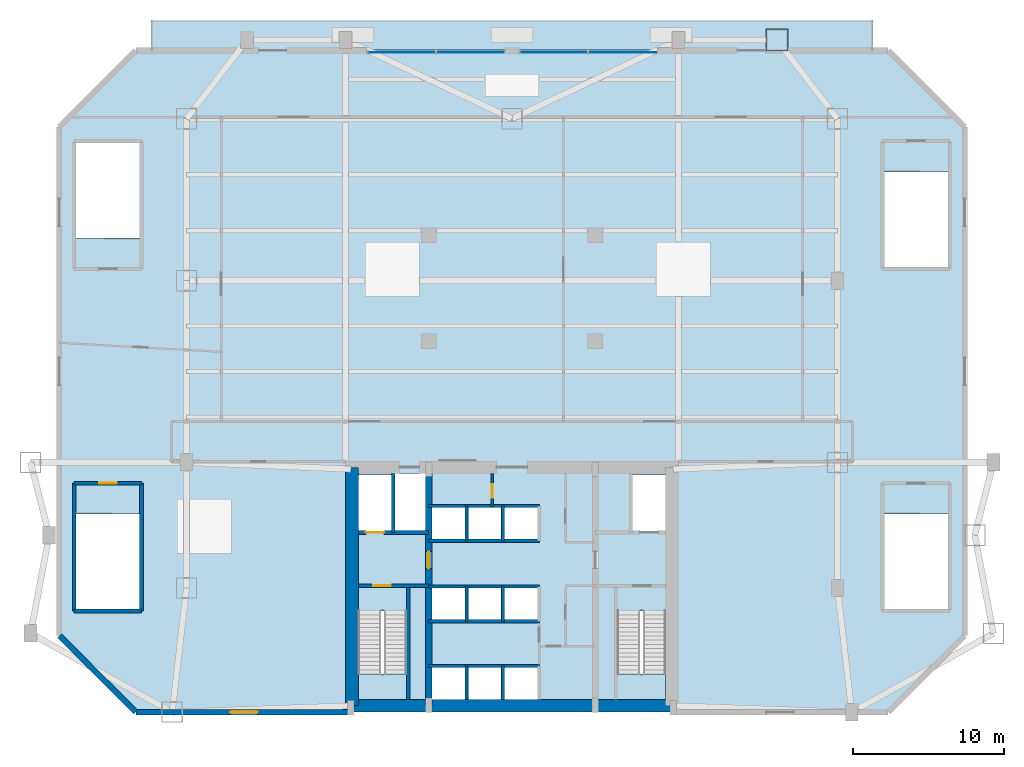
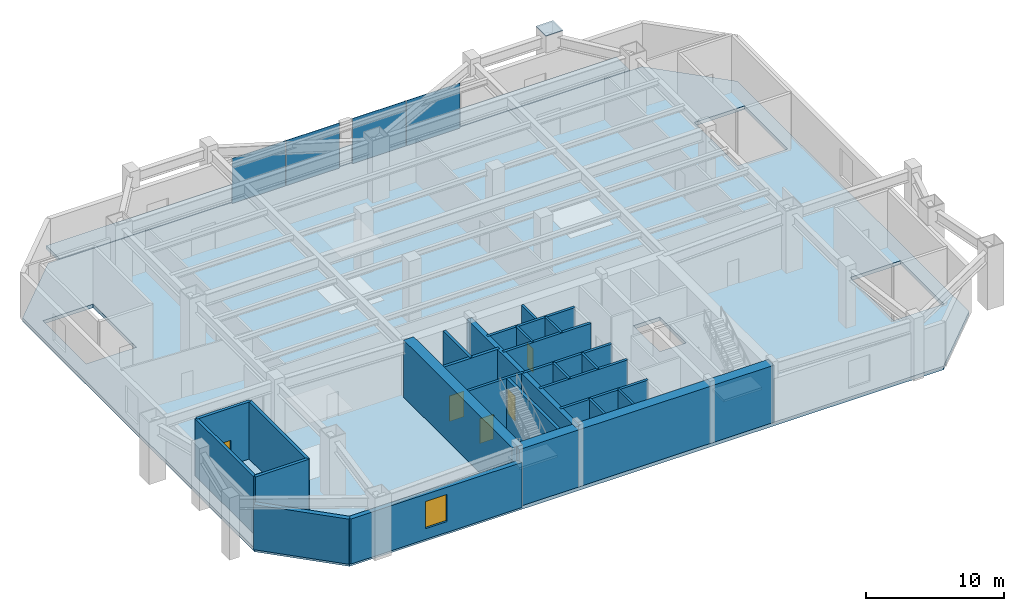
# One storey, part 3 of 8: 25 walls, 5 doors, 5 plates, 4 slabs, 1 window, 6 openings, 4 elements without a shape of their own.
"""IFC4 building model written with IfcOpenShell, lengths in metres."""

import ifcopenshell
import ifcopenshell.guid

model = None  # the IFC model being written
_history = None  # IfcOwnerHistory: only IFC2X3 demands one
_inside = {}  # id of a spatial element -> (the spatial element, [elements in it])
_under = {}  # id of a project, library or spatial element -> (it, [spatial elements below it])
_declared = {}  # id of a project -> (the project, [libraries it declares])
_typed = {}  # id of a type object -> (the type object, [elements of that type])
_made_of = {}  # id of a material, layer set ... -> (it, [elements and type objects made of it])


def new_model(schema):
    """Start an empty IFC model of exactly this schema.

    Asked for "IFC4X3", IfcOpenShell would pick the latest addendum, in which some entities
    have other attributes; the version numbers below select the first issue.
    IFC2X3 requires an IfcOwnerHistory on every rooted entity: one is made here for all.
    """
    global model, _history
    if schema == "IFC4X3":
        model = ifcopenshell.file(schema_version=(4, 3, 0, 0))
    else:
        model = ifcopenshell.file(schema=schema)
    _inside.clear()
    _under.clear()
    _declared.clear()
    _typed.clear()
    _made_of.clear()
    _history = None
    if model.schema == "IFC2X3":
        org = make("IfcOrganization", Name="unknown")
        user = make(
            "IfcPersonAndOrganization",
            ThePerson=make("IfcPerson", FamilyName="unknown"),
            TheOrganization=org,
        )
        app = make(
            "IfcApplication",
            ApplicationDeveloper=org,
            Version="unknown",
            ApplicationFullName="unknown",
            ApplicationIdentifier="unknown",
        )
        _history = make(
            "IfcOwnerHistory",
            OwningUser=user,
            OwningApplication=app,
            ChangeAction="ADDED",
            CreationDate=0,
        )
    return model


def make(cls, **values):
    """One entity of the class cls with the attributes given. An attribute that is None is left unset."""
    return model.create_entity(
        cls, **{name: value for name, value in values.items() if value is not None}
    )


def rooted(cls, **values):
    """An entity with a GlobalId (a new one), such as an element, a storey or a relation."""
    return make(cls, GlobalId=ifcopenshell.guid.new(), OwnerHistory=_history, **values)


def si_unit(unit_type, name, prefix=None):
    """IfcSIUnit, for example si_unit("LENGTHUNIT", "METRE", prefix="MILLI")."""
    return make("IfcSIUnit", UnitType=unit_type, Prefix=prefix, Name=name)


def assignment(units):
    """IfcUnitAssignment: the units of a project."""
    return None if units is None else make("IfcUnitAssignment", Units=units)


def point(xyz):
    """IfcCartesianPoint."""
    return None if xyz is None else make("IfcCartesianPoint", Coordinates=xyz)


def direction(xyz):
    """IfcDirection."""
    return None if xyz is None else make("IfcDirection", DirectionRatios=xyz)


def frame(location, z_axis=None, x_axis=None):
    """IfcAxis2Placement3D, a coordinate frame: its origin and axes. An axis left out is left unset."""
    return make(
        "IfcAxis2Placement3D",
        Location=point(location),
        Axis=direction(z_axis),
        RefDirection=direction(x_axis),
    )


def frame_2d(location, x_axis=None):
    """IfcAxis2Placement2D, a coordinate frame in the plane: its origin and x axis."""
    return make(
        "IfcAxis2Placement2D", Location=point(location), RefDirection=direction(x_axis)
    )


def origin():
    """The frame at (0, 0, 0) with its axes left unset."""
    return frame((0.0, 0.0, 0.0))


def origin_2d():
    """The frame at (0, 0) in the plane with its x axis left unset."""
    return frame_2d((0.0, 0.0))


def place(relative_to, where):
    """IfcLocalPlacement: puts the frame where relative to a parent placement (None: the world)."""
    return make(
        "IfcLocalPlacement", PlacementRelTo=relative_to, RelativePlacement=where
    )


def context(
    kind, dimensions, precision=None, world=None, true_north=None, identifier=None
):
    """IfcGeometricRepresentationContext, for example the 3D "Model" context."""
    return make(
        "IfcGeometricRepresentationContext",
        ContextIdentifier=identifier,
        ContextType=kind,
        CoordinateSpaceDimension=dimensions,
        Precision=precision,
        WorldCoordinateSystem=world,
        TrueNorth=true_north,
    )


def subcontext(parent, identifier, kind, view, scale=None):
    """IfcGeometricRepresentationSubContext, for example "Body" below "Model"."""
    return make(
        "IfcGeometricRepresentationSubContext",
        ContextIdentifier=identifier,
        ContextType=kind,
        ParentContext=parent,
        TargetScale=scale,
        TargetView=view,
    )


def project(units=None, contexts=None):
    """IfcProject with its units and contexts."""
    return rooted(
        "IfcProject",
        Name="project",
        RepresentationContexts=contexts,
        UnitsInContext=assignment(units),
    )


def spatial(cls, under=None, at=None, **own):
    """A site, building, storey or space (cls), placed at a placement, below another one or the project."""
    s = rooted(cls, ObjectPlacement=at, **own)
    if under is not None:
        _under.setdefault(under.id(), (under, []))[1].append(s)
    return s


def polyline(points):
    """IfcPolyline through the points."""
    return make("IfcPolyline", Points=[point(p) for p in points])


def profile(cls, at=None, kind="AREA", **sizes):
    """A parametric profile (cls). Its sizes go by their IFC names, for example OverallWidth=200.0."""
    return make(cls, ProfileType=kind, Position=at, **sizes)


def rectangle(**sizes):
    """IfcRectangleProfileDef."""
    return profile("IfcRectangleProfileDef", **sizes)


def outline(outer, holes=None, kind="AREA"):
    """IfcArbitraryClosedProfileDef: a profile drawn as a closed curve; with holes, ...WithVoids."""
    if holes is None:
        return make("IfcArbitraryClosedProfileDef", ProfileType=kind, OuterCurve=outer)
    return make(
        "IfcArbitraryProfileDefWithVoids",
        ProfileType=kind,
        OuterCurve=outer,
        InnerCurves=holes,
    )


def extrude(swept, where, along, depth):
    """IfcExtrudedAreaSolid: the profile swept, set in the frame where, extruded along a direction by depth."""
    return make(
        "IfcExtrudedAreaSolid",
        SweptArea=swept,
        Position=where,
        ExtrudedDirection=direction(along),
        Depth=depth,
    )


def shape(context_of_items, identifier, shape_type, items):
    """IfcShapeRepresentation: the items that make up one representation, for example the "Body"."""
    return make(
        "IfcShapeRepresentation",
        ContextOfItems=context_of_items,
        RepresentationIdentifier=identifier,
        RepresentationType=shape_type,
        Items=items,
    )


def source(mapping_origin, context_of_items, identifier, shape_type, items):
    """IfcRepresentationMap: a shape defined once, which mapped items show again and again."""
    return make(
        "IfcRepresentationMap",
        MappingOrigin=mapping_origin,
        MappedRepresentation=shape(context_of_items, identifier, shape_type, items),
    )


def transform(
    local_origin,
    x_axis=None,
    y_axis=None,
    z_axis=None,
    scale=None,
    scale2=None,
    scale3=None,
    uniform=True,
):
    """IfcCartesianTransformationOperator3D, or its non-uniform kind. x_axis, y_axis, z_axis: its Axis1, 2, 3."""
    if uniform:
        return make(
            "IfcCartesianTransformationOperator3D",
            Axis1=direction(x_axis),
            Axis2=direction(y_axis),
            LocalOrigin=point(local_origin),
            Scale=scale,
            Axis3=direction(z_axis),
        )
    return make(
        "IfcCartesianTransformationOperator3DnonUniform",
        Axis1=direction(x_axis),
        Axis2=direction(y_axis),
        LocalOrigin=point(local_origin),
        Scale=scale,
        Axis3=direction(z_axis),
        Scale2=scale2,
        Scale3=scale3,
    )


def mapped(mapping_source, mapping_target):
    """IfcMappedItem: shows the shape of a source again, moved by a transform."""
    return make(
        "IfcMappedItem", MappingSource=mapping_source, MappingTarget=mapping_target
    )


def material(Name=None, Category=None):
    """IfcMaterial."""
    return make("IfcMaterial", Name=Name, Category=Category)


def layer(
    of_material, thickness, ventilated=None, Name=None, Category=None, Priority=None
):
    """IfcMaterialLayer: one layer of a wall or slab, of a material (None: an air gap)."""
    return make(
        "IfcMaterialLayer",
        Material=of_material,
        LayerThickness=thickness,
        IsVentilated=ventilated,
        Name=Name,
        Category=Category,
        Priority=Priority,
    )


def layer_set(layers, Name=None):
    """IfcMaterialLayerSet."""
    return make("IfcMaterialLayerSet", MaterialLayers=layers, LayerSetName=Name)


def made_of(thing, what):
    """Note that an element or type object is made of a material, layer set ...; save() writes the relation."""
    if what is not None:
        _made_of.setdefault(what.id(), (what, []))[1].append(thing)
    return thing


def type_object(cls, material=None, **own):
    """A type object (cls), such as IfcWallType, which elements share."""
    return made_of(rooted(cls, **own), material)


def type_shapes(of_type, sources):
    """Give a type object the sources (RepresentationMaps) that its elements show as mapped items."""
    of_type.RepresentationMaps = sources


def element(
    cls,
    number,
    at=None,
    inside=None,
    cuts=None,
    type_object=None,
    material=None,
    context=None,
    identifier="Body",
    shape_type=None,
    held_by="IfcProductDefinitionShape",
    body=None,
    shapes=None,
    **own,
):
    """One element of the class cls, such as IfcWall. Its Tag is "e" and its number.

    at: its placement. inside: the storey or other place that contains it. cuts: it is an
    opening in that element (IfcRelVoidsElement). A single representation is given by context,
    identifier, shape_type and body (its items); several are given by shapes. held_by: the class
    of the entity that holds the representations. save() writes the other relations.
    """
    e = rooted(cls, Tag="e%d" % number, ObjectPlacement=at, **own)
    if body is not None:
        shapes = [shape(context, identifier, shape_type, body)]
    if shapes is not None:
        e.Representation = make(held_by, Representations=shapes)
    if inside is not None:
        _inside.setdefault(inside.id(), (inside, []))[1].append(e)
    if cuts is not None:
        rooted(
            "IfcRelVoidsElement", RelatingBuildingElement=cuts, RelatedOpeningElement=e
        )
    if type_object is not None:
        _typed.setdefault(type_object.id(), (type_object, []))[1].append(e)
    return made_of(e, material)


def fill(opening, filler):
    """IfcRelFillsElement: the door or window that sits in an opening."""
    return rooted(
        "IfcRelFillsElement",
        RelatingOpeningElement=opening,
        RelatedBuildingElement=filler,
    )


def aggregate(whole, parts):
    """IfcRelAggregates: a whole, such as a stair, and the parts it consists of."""
    return rooted("IfcRelAggregates", RelatingObject=whole, RelatedObjects=parts)


def save(model, path):
    """Write the relations noted so far, then the file.

    IfcRelAggregates (storeys below a building ...), IfcRelContainedInSpatialStructure (elements
    in a storey), IfcRelDefinesByType, IfcRelAssociatesMaterial and IfcRelDeclares: one each for
    every whole, place, type object, material and project.
    """
    for whole, parts in _under.values():
        aggregate(whole, parts)
    for where, things in _inside.values():
        rooted(
            "IfcRelContainedInSpatialStructure",
            RelatedElements=things,
            RelatingStructure=where,
        )
    for kind, things in _typed.values():
        rooted("IfcRelDefinesByType", RelatedObjects=things, RelatingType=kind)
    for what, things in _made_of.values():
        rooted("IfcRelAssociatesMaterial", RelatedObjects=things, RelatingMaterial=what)
    for by, libraries in _declared.values():
        rooted("IfcRelDeclares", RelatingContext=by, RelatedDefinitions=libraries)
    model.write(path)


model = new_model("IFC4")

# Units and contexts
model_context = context("Model", 3, precision=1e-05, world=origin(), true_north=direction((0.0, 1.0)))
body_context = subcontext(model_context, "Body", "Model", "MODEL_VIEW")
ifc_project = project(units=[si_unit("LENGTHUNIT", "METRE"), si_unit("AREAUNIT", "SQUARE_METRE"), si_unit("VOLUMEUNIT", "CUBIC_METRE"), si_unit("PLANEANGLEUNIT", "RADIAN"), si_unit("MASSUNIT", "GRAM", prefix="KILO")], contexts=[model_context])

# Site, building, storey
site_placement = place(None, origin())
site = spatial("IfcSite", under=ifc_project, at=site_placement, CompositionType="ELEMENT")
building_placement = place(site_placement, origin())
building = spatial("IfcBuilding", under=site, at=building_placement, Name="Varnakhor Terracotta Tower", CompositionType="ELEMENT")
storey_placement = place(building_placement, frame((0.0, 0.0, 16.5)))
storey = spatial("IfcBuildingStorey", under=building, at=storey_placement, Name="L03", CompositionType="ELEMENT", Elevation=16.5)

# Slab
ifc_material_1 = material(Name="Concrete C40/50", Category="concrete")
ifc_layer_1 = layer(ifc_material_1, 0.31494140625, Name="Concrete C40/50")
ifc_layer_set_1 = layer_set([ifc_layer_1], Name="Concrete C40/50")
slab_type_1 = type_object("IfcSlabType", Name="SLB-BALL-315", PredefinedType="FLOOR", material=ifc_layer_set_1)
slab_1_placement = place(storey_placement, frame((0.0, 0.0, -0.31494140625)))
element("IfcSlab", 1, at=slab_1_placement, inside=storey, type_object=slab_type_1, Name="L03 Structural Floor Slab", PredefinedType="FLOOR", context=body_context, shape_type="SweptSolid", body=[
    extrude(outline(polyline([(-29.89990234375, 5.050048828125), (-29.89990234375, 38.64990234375), (-24.85009765625, 43.699951171875), (24.85009765625, 43.699951171875), (29.89990234375, 38.64990234375), (29.89990234375, 5.050048828125), (24.85009765625, 0.0), (-24.85009765625, 0.0), (-29.89990234375, 5.050048828125)]), holes=[polyline([(-5.300048828125, 0.85009765625), (-3.10009765625, 0.85009765625), (-3.10009765625, 2.949951171875), (-5.300048828125, 2.949951171875), (-5.300048828125, 0.85009765625)]), polyline([(-10.14990234375, 0.85009765625), (-6.949951171875, 0.85009765625), (-6.949951171875, 6.695068359375), (-10.14990234375, 6.695068359375), (-10.14990234375, 0.85009765625)]), polyline([(-5.300048828125, 6.10009765625), (-3.10009765625, 6.10009765625), (-3.10009765625, 8.199951171875), (-5.300048828125, 8.199951171875), (-5.300048828125, 6.10009765625)]), polyline([(-28.800048828125, 6.800048828125), (-24.60009765625, 6.800048828125), (-24.60009765625, 13.0849609375), (-28.800048828125, 13.0849609375), (-28.800048828125, 6.800048828125)]), polyline([(-5.300048828125, 11.419921875), (-3.10009765625, 11.419921875), (-3.10009765625, 13.52001953125), (-5.300048828125, 13.52001953125), (-5.300048828125, 11.419921875)]), polyline([(-2.8798828125, 11.419921875), (-0.719970703125, 11.419921875), (-0.719970703125, 13.52001953125), (-2.8798828125, 13.52001953125), (-2.8798828125, 11.419921875)]), polyline([(-10.14990234375, 11.8798828125), (-7.949951171875, 11.8798828125), (-7.949951171875, 15.64990234375), (-10.14990234375, 15.64990234375), (-10.14990234375, 11.8798828125)]), polyline([(-7.72998046875, 15.75), (-7.72998046875, 11.8798828125), (-5.699951171875, 11.8798828125), (-5.699951171875, 15.75), (-7.72998046875, 15.75)]), polyline([(-28.800048828125, 37.60009765625), (-28.800048828125, 31.31494140625), (-24.60009765625, 31.31494140625), (-24.60009765625, 37.60009765625), (-28.800048828125, 37.60009765625)]), polyline([(-2.8798828125, 0.85009765625), (-0.719970703125, 0.85009765625), (-0.719970703125, 2.949951171875), (-2.8798828125, 2.949951171875), (-2.8798828125, 0.85009765625)]), polyline([(-0.5, 0.85009765625), (1.699951171875, 0.85009765625), (1.699951171875, 2.949951171875), (-0.5, 2.949951171875), (-0.5, 0.85009765625)]), polyline([(6.949951171875, 0.85009765625), (10.14990234375, 0.85009765625), (10.14990234375, 6.695068359375), (6.949951171875, 6.695068359375), (6.949951171875, 0.85009765625)]), polyline([(-2.8798828125, 6.10009765625), (-0.719970703125, 6.10009765625), (-0.719970703125, 8.199951171875), (-2.8798828125, 8.199951171875), (-2.8798828125, 6.10009765625)]), polyline([(-0.5, 6.10009765625), (1.699951171875, 6.10009765625), (1.699951171875, 8.199951171875), (-0.5, 8.199951171875), (-0.5, 6.10009765625)]), polyline([(24.60009765625, 6.800048828125), (28.800048828125, 6.800048828125), (28.800048828125, 13.0849609375), (24.60009765625, 13.0849609375), (24.60009765625, 6.800048828125)]), polyline([(-0.5, 11.419921875), (1.699951171875, 11.419921875), (1.699951171875, 13.52001953125), (-0.5, 13.52001953125), (-0.5, 11.419921875)]), polyline([(7.949951171875, 15.64990234375), (7.949951171875, 11.8798828125), (10.14990234375, 11.8798828125), (10.14990234375, 15.64990234375), (7.949951171875, 15.64990234375)]), polyline([(24.60009765625, 35.68505859375), (24.60009765625, 29.39990234375), (28.800048828125, 29.39990234375), (28.800048828125, 35.68505859375), (24.60009765625, 35.68505859375)])]), origin(), (0.0, 0.0, 1.0), 0.31494140625),
])

# Stair, slab
stair_type = type_object("IfcStairType", Name="STR-CORE-OFFICE-1500", PredefinedType="HALF_TURN_STAIR", material=ifc_material_1)
stair_1_placement = place(storey_placement, origin())
stair_1 = element("IfcStair", 2, at=stair_1_placement, inside=storey, type_object=stair_type, Name="L03 Core Exit Stair ST-1", PredefinedType="HALF_TURN_STAIR")
ifc_layer_2 = layer(ifc_material_1, 0.179931640625, Name="Concrete C40/50")
ifc_layer_set_2 = layer_set([ifc_layer_2], Name="Concrete C40/50")
slab_type_2 = type_object("IfcSlabType", Name="SLB-LANDING-180", PredefinedType="LANDING", material=ifc_layer_set_2)
slab_2_placement = place(storey_placement, frame((0.0, 0.0, 2.550048828125)))
slab_2 = element("IfcSlab", 3, at=slab_2_placement, type_object=slab_type_2, Name="ST-1 landing 1", PredefinedType="LANDING", context=body_context, shape_type="SweptSolid", body=[
    extrude(outline(polyline([(-10.14990234375, 2.510009765625), (-10.14990234375, 0.85009765625), (-6.949951171875, 0.85009765625), (-6.949951171875, 2.510009765625), (-10.14990234375, 2.510009765625)])), origin(), (0.0, 0.0, 1.0), 0.199951171875),
])
aggregate(stair_1, [slab_2])

stair_2_placement = place(storey_placement, origin())
stair_2 = element("IfcStair", 4, at=stair_2_placement, inside=storey, type_object=stair_type, Name="L03 Core Exit Stair ST-2", PredefinedType="HALF_TURN_STAIR")
slab_3_placement = place(storey_placement, frame((0.0, 0.0, 2.550048828125)))
slab_3 = element("IfcSlab", 5, at=slab_3_placement, type_object=slab_type_2, Name="ST-2 landing 1", PredefinedType="LANDING", context=body_context, shape_type="SweptSolid", body=[
    extrude(outline(polyline([(6.949951171875, 2.510009765625), (6.949951171875, 0.85009765625), (10.14990234375, 0.85009765625), (10.14990234375, 2.510009765625), (6.949951171875, 2.510009765625)])), origin(), (0.0, 0.0, 1.0), 0.199951171875),
])
aggregate(stair_2, [slab_3])

# Slab
ifc_layer_3 = layer(ifc_material_1, 0.340087890625, Name="Concrete C40/50")
ifc_layer_set_3 = layer_set([ifc_layer_3], Name="Concrete C40/50")
slab_type_3 = type_object("IfcSlabType", Name="SLB-TERR-EXT-340", PredefinedType="FLOOR", material=ifc_layer_set_3)
slab_4_placement = place(storey_placement, frame((0.0, 0.0, -0.31494140625)))
element("IfcSlab", 6, at=slab_4_placement, inside=storey, type_object=slab_type_3, Name="L03 Cascading Garden Terrace Slab", PredefinedType="FLOOR", context=body_context, shape_type="SweptSolid", body=[
    extrude(outline(polyline([(-23.85009765625, 45.699951171875), (23.85009765625, 45.699951171875), (23.85009765625, 43.739990234375), (-23.85009765625, 43.739990234375), (-23.85009765625, 45.699951171875)])), origin(), (0.0, 0.0, 1.0), 0.31494140625),
])

# Plate
ifc_material_2 = material(Name="Steel S355", Category="steel")
ifc_layer_4 = layer(ifc_material_2, 0.0400390625, Name="Steel S355")
ifc_layer_set_4 = layer_set([ifc_layer_4], Name="Steel S355")
plate_type_1 = type_object("IfcPlateType", Name="PLT-CAP-40", PredefinedType="USERDEFINED", material=ifc_layer_set_4)
shared_shape_1 = source(origin(), body_context, "Body", "SweptSolid", [
    extrude(rectangle(XDim=1.43994140625, YDim=1.43994140625, at=origin_2d()), origin(), (0.0, 0.0, 1.0), 0.0439453125),
])
type_shapes(plate_type_1, [shared_shape_1])
plate_1_placement = place(storey_placement, frame((17.5, 44.39990234375, 5.5), z_axis=(0.0, 0.0, 1.0), x_axis=(1.0, 0.0, 0.0)))
element("IfcPlate", 7, at=plate_1_placement, inside=storey, type_object=plate_type_1, Name="L03 Podium Column PC21 Top Cap Plate", ObjectType="CAP PLATE", PredefinedType="USERDEFINED", context=body_context, shape_type="MappedRepresentation", body=[
    mapped(shared_shape_1, transform((0.0, 0.0, 0.0), scale=1.0)),
])

# Curtain wall, plates
ifc_material_3 = material(Name="Anodised Aluminium Curtain Wall System", Category="aluminium")
curtain_wall_type = type_object("IfcCurtainWallType", Name="CW-SYS-PODIUM", PredefinedType="NOTDEFINED", material=ifc_material_3)
curtain_wall_1_placement = place(storey_placement, origin())
curtain_wall_1 = element("IfcCurtainWall", 8, at=curtain_wall_1_placement, inside=storey, type_object=curtain_wall_type, Name="L03 North West Foyer Curtain Wall", PredefinedType="NOTDEFINED")
ifc_material_4 = material(Name="Solar-Control Low-E Insulated Glass Panel", Category="glass")
ifc_layer_5 = layer(ifc_material_4, 0.0439453125, Name="Solar-Control Low-E Insulated Glass Panel")
ifc_layer_set_5 = layer_set([ifc_layer_5], Name="Solar-Control Low-E Insulated Glass Panel")
plate_type_2 = type_object("IfcPlateType", Name="CWP-01", PredefinedType="CURTAIN_PANEL", material=ifc_layer_set_5)
shared_shape_2 = source(origin(), body_context, "Body", "SweptSolid", [
    extrude(rectangle(XDim=4.47509765625, YDim=0.035888671875, at=origin_2d()), origin(), (0.0, 0.0, 1.0), 3.989990234375),
])
plate_2_placement = place(storey_placement, frame((-7.282470703125, 43.580078125, 0.0), z_axis=(0.0, 0.0, 1.0), x_axis=(1.0, 0.0, 0.0)))
plate_2 = element("IfcPlate", 9, at=plate_2_placement, type_object=plate_type_2, Name="L03 North West Foyer Curtain Wall Glazed Panel 1", PredefinedType="CURTAIN_PANEL", context=body_context, shape_type="MappedRepresentation", body=[
    mapped(shared_shape_2, transform((0.0, 0.0, 0.0), scale=1.0)),
])
plate_3_placement = place(storey_placement, frame((-2.767578125, 43.580078125, 0.0), z_axis=(0.0, 0.0, 1.0), x_axis=(1.0, 0.0, 0.0)))
plate_3 = element("IfcPlate", 10, at=plate_3_placement, type_object=plate_type_2, Name="L03 North West Foyer Curtain Wall Glazed Panel 2", PredefinedType="CURTAIN_PANEL", context=body_context, shape_type="MappedRepresentation", body=[
    mapped(shared_shape_2, transform((0.0, 0.0, 0.0), scale=1.0)),
])
aggregate(curtain_wall_1, [plate_2, plate_3])

curtain_wall_2_placement = place(storey_placement, origin())
curtain_wall_2 = element("IfcCurtainWall", 11, at=curtain_wall_2_placement, inside=storey, type_object=curtain_wall_type, Name="L03 North East Foyer Curtain Wall", PredefinedType="NOTDEFINED")
plate_4_placement = place(storey_placement, frame((2.767578125, 43.580078125, 0.0), z_axis=(0.0, 0.0, 1.0), x_axis=(1.0, 0.0, 0.0)))
plate_4 = element("IfcPlate", 12, at=plate_4_placement, type_object=plate_type_2, Name="L03 North East Foyer Curtain Wall Glazed Panel 1", PredefinedType="CURTAIN_PANEL", context=body_context, shape_type="MappedRepresentation", body=[
    mapped(shared_shape_2, transform((0.0, 0.0, 0.0), scale=1.0)),
])
plate_5_placement = place(storey_placement, frame((7.282470703125, 43.580078125, 0.0), z_axis=(0.0, 0.0, 1.0), x_axis=(1.0, 0.0, 0.0)))
plate_5 = element("IfcPlate", 13, at=plate_5_placement, type_object=plate_type_2, Name="L03 North East Foyer Curtain Wall Glazed Panel 2", PredefinedType="CURTAIN_PANEL", context=body_context, shape_type="MappedRepresentation", body=[
    mapped(shared_shape_2, transform((0.0, 0.0, 0.0), scale=1.0)),
])
aggregate(curtain_wall_2, [plate_4, plate_5])

# Walls
ifc_material_5 = material(Name="Concrete C60/75", Category="concrete")
ifc_layer_6 = layer(ifc_material_5, 0.85009765625, Name="Concrete C60/75")
ifc_layer_set_6 = layer_set([ifc_layer_6], Name="Concrete C60/75")
wall_type_1 = type_object("IfcWallType", Name="WAL-CORE-850", PredefinedType="SHEAR", material=ifc_layer_set_6)
wall_1_placement = place(storey_placement, frame((-10.64990234375, 0.425048828125, 0.0), z_axis=(0.0, 0.0, 1.0), x_axis=(1.0, 0.0, 0.0)))
element("IfcWall", 14, at=wall_1_placement, inside=storey, type_object=wall_type_1, Name="L03 South Core Shear Wall", PredefinedType="SHEAR", context=body_context, shape_type="SweptSolid", body=[
    extrude(rectangle(XDim=21.2998046875, YDim=0.85009765625, at=frame_2d((10.64990234375, 0.0))), origin(), (0.0, 0.0, 1.0), 5.050048828125),
])
wall_2_placement = place(storey_placement, frame((-10.574951171875, 0.425048828125, 0.0), z_axis=(0.0, 0.0, 1.0), x_axis=(0.0, 1.0, 0.0)))
element("IfcWall", 15, at=wall_2_placement, inside=storey, type_object=wall_type_1, Name="L03 West Core Shear Wall", PredefinedType="SHEAR", context=body_context, shape_type="SweptSolid", body=[
    extrude(rectangle(XDim=15.75, YDim=0.85009765625, at=frame_2d((7.875, 0.0))), origin(), (0.0, 0.0, 1.0), 5.050048828125),
])

# Wall, opening, door
ifc_material_6 = material(Name="Concrete C50/60", Category="concrete")
ifc_layer_7 = layer(ifc_material_6, 0.39990234375, Name="Concrete C50/60")
ifc_layer_set_7 = layer_set([ifc_layer_7], Name="Concrete C50/60")
wall_type_2 = type_object("IfcWallType", Name="WAL-CORE-WEB-400", PredefinedType="SHEAR", material=ifc_layer_set_7)
wall_3_placement = place(storey_placement, frame((-5.5, 0.425048828125, 0.0), z_axis=(0.0, 0.0, 1.0), x_axis=(0.0, 1.0, 0.0)))
wall_3 = element("IfcWall", 16, at=wall_3_placement, inside=storey, type_object=wall_type_2, Name="L03 West Core Web Shear Wall", PredefinedType="SHEAR", context=body_context, shape_type="SweptSolid", body=[
    extrude(rectangle(XDim=15.75, YDim=0.39990234375, at=frame_2d((7.875, 0.0))), origin(), (0.0, 0.0, 1.0), 5.050048828125),
])
opening_1_placement = place(wall_3_placement, frame((9.074951171875, 0.0, 0.0)))
opening_1 = element("IfcOpeningElement", 17, at=opening_1_placement, cuts=wall_3, Name="Opening DR-25", PredefinedType="OPENING", context=body_context, shape_type="SweptSolid", body=[
    extrude(rectangle(XDim=1.10009765625, YDim=2.199951171875, at=frame_2d((0.550048828125, 1.10009765625))), frame((0.0, 0.2099609375, 0.0), z_axis=(0.0, -1.0, 0.0), x_axis=(1.0, 0.0, 0.0)), (0.0, 0.0, 1.0), 0.419921875),
])
ifc_material_7 = material(Name="Firefighting Lobby Self-Closing Fire Door", Category="steel")
door_type_1 = type_object("IfcDoorType", Name="DR-FFL-1100X2200", OperationType="NOTDEFINED", PredefinedType="DOOR", material=ifc_material_7)
shared_shape_3 = source(origin(), body_context, "Body", "SweptSolid", [
    extrude(rectangle(XDim=1.10009765625, YDim=2.199951171875, at=frame_2d((0.550048828125, 1.10009765625))), frame((0.0, 0.02490234375, 0.0), z_axis=(0.0, -1.0, 0.0), x_axis=(1.0, 0.0, 0.0)), (0.0, 0.0, 1.0), 0.050048828125),
])
type_shapes(door_type_1, [shared_shape_3])
door_1_placement = place(opening_1_placement, origin())
door_1 = element("IfcDoor", 18, at=door_1_placement, inside=storey, type_object=door_type_1, Name="L03 West Firefighting Lobby Door", OperationType="SINGLE_SWING_LEFT", OverallHeight=2.199951171875, OverallWidth=1.10009765625, PredefinedType="DOOR", context=body_context, shape_type="MappedRepresentation", body=[
    mapped(shared_shape_3, transform((0.0, 0.0, 0.0), scale=1.0)),
])
fill(opening_1, door_1)

# Wall, opening, window
ifc_material_8 = material(Name="Honed Riyadh Limestone Assembly", Category="masonry")
ifc_layer_8 = layer(ifc_material_8, 0.3798828125, Name="Honed Riyadh Limestone Assembly")
ifc_layer_set_8 = layer_set([ifc_layer_8], Name="Honed Riyadh Limestone Assembly")
wall_type_3 = type_object("IfcWallType", Name="WAL-EXT-LIMESTONE-380", PredefinedType="SOLIDWALL", material=ifc_layer_set_8)
wall_4_placement = place(storey_placement, frame((-10.550048828125, 0.0, 0.0), z_axis=(0.0, 0.0, 1.0), x_axis=(-1.0, 0.0, 0.0)))
wall_4 = element("IfcWall", 19, at=wall_4_placement, inside=storey, type_object=wall_type_3, Name="L03 Limestone Podium Wall SW", PredefinedType="SOLIDWALL", context=body_context, shape_type="SweptSolid", body=[
    extrude(rectangle(XDim=14.300048828125, YDim=0.3798828125, at=frame_2d((7.14990234375, 0.0))), origin(), (0.0, 0.0, 1.0), 3.989990234375),
])
opening_2_placement = place(wall_4_placement, frame((6.25, 0.0, 0.949951171875)))
opening_2 = element("IfcOpeningElement", 20, at=opening_2_placement, cuts=wall_4, Name="Opening WN-19", PredefinedType="OPENING", context=body_context, shape_type="SweptSolid", body=[
    extrude(rectangle(XDim=1.800048828125, YDim=2.39990234375, at=frame_2d((0.89990234375, 1.199951171875))), frame((0.0, 0.199951171875, 0.0), z_axis=(0.0, -1.0, 0.0), x_axis=(1.0, 0.0, 0.0)), (0.0, 0.0, 1.0), 0.39990234375),
])
ifc_material_9 = material(Name="Solar-Control Low-E Insulated Glass Unit", Category="glass")
window_type = type_object("IfcWindowType", Name="WIN-POD-1800X2400", PartitioningType="SINGLE_PANEL", PredefinedType="WINDOW", material=ifc_material_9)
shared_shape_4 = source(origin(), body_context, "Body", "SweptSolid", [
    extrude(rectangle(XDim=1.800048828125, YDim=2.39990234375, at=frame_2d((0.89990234375, 1.199951171875))), frame((0.0, 0.030029296875, 0.0), z_axis=(0.0, -1.0, 0.0), x_axis=(1.0, 0.0, 0.0)), (0.0, 0.0, 1.0), 0.06005859375),
])
type_shapes(window_type, [shared_shape_4])
window_placement = place(opening_2_placement, origin())
window = element("IfcWindow", 21, at=window_placement, inside=storey, type_object=window_type, Name="L03 Podium Window SW", OverallHeight=2.39990234375, OverallWidth=1.800048828125, PartitioningType="SINGLE_PANEL", PredefinedType="WINDOW", context=body_context, shape_type="MappedRepresentation", body=[
    mapped(shared_shape_4, transform((0.0, 0.0, 0.0), scale=1.0)),
])
fill(opening_2, window)

# Wall
wall_5_placement = place(storey_placement, frame((-24.85009765625, 0.0, 0.0), z_axis=(0.0, 0.0, 1.0), x_axis=(-0.707089688307, 0.707123873653, 0.0)))
element("IfcWall", 22, at=wall_5_placement, inside=storey, type_object=wall_type_3, Name="L03 Podium Chamfer Limestone Wall 8", PredefinedType="SOLIDWALL", context=body_context, shape_type="SweptSolid", body=[
    extrude(rectangle(XDim=7.1416015625, YDim=0.3798828125, at=frame_2d((3.57080078125, 0.0))), origin(), (0.0, 0.0, 1.0), 3.989990234375),
])

# Wall, opening, door
ifc_layer_9 = layer(ifc_material_1, 0.219970703125, Name="Concrete C40/50")
ifc_layer_set_9 = layer_set([ifc_layer_9], Name="Concrete C40/50")
wall_type_4 = type_object("IfcWallType", Name="WAL-FFLOBBY-220", PredefinedType="SOLIDWALL", material=ifc_layer_set_9)
wall_6_placement = place(storey_placement, frame((-5.5, 8.35009765625, 0.0), z_axis=(0.0, 0.0, 1.0), x_axis=(-1.0, 0.0, 0.0)))
wall_6 = element("IfcWall", 23, at=wall_6_placement, inside=storey, type_object=wall_type_4, Name="L03 West Firefighting Lobby Stair Wall", PredefinedType="SOLIDWALL", context=body_context, shape_type="SweptSolid", body=[
    extrude(rectangle(XDim=4.64990234375, YDim=0.219970703125, at=frame_2d((2.324951171875, 0.0))), origin(), (0.0, 0.0, 1.0), 5.050048828125),
])
opening_3_placement = place(wall_6_placement, frame((2.5, 0.0, 0.0)))
opening_3 = element("IfcOpeningElement", 24, at=opening_3_placement, cuts=wall_6, Name="Opening DR-34", PredefinedType="OPENING", context=body_context, shape_type="SweptSolid", body=[
    extrude(rectangle(XDim=1.14990234375, YDim=2.199951171875, at=frame_2d((0.574951171875, 1.10009765625))), frame((0.0, 0.1201171875, 0.0), z_axis=(0.0, -1.0, 0.0), x_axis=(1.0, 0.0, 0.0)), (0.0, 0.0, 1.0), 0.239990234375),
])
ifc_material_10 = material(Name="Self-Closing Smoke-Sealed Steel Fire Door", Category="steel")
door_type_2 = type_object("IfcDoorType", Name="DR-STAIR-1150X2200", OperationType="NOTDEFINED", PredefinedType="DOOR", material=ifc_material_10)
shared_shape_5 = source(origin(), body_context, "Body", "SweptSolid", [
    extrude(rectangle(XDim=1.14990234375, YDim=2.199951171875, at=frame_2d((0.574951171875, 1.10009765625))), frame((0.0, 0.02490234375, 0.0), z_axis=(0.0, -1.0, 0.0), x_axis=(1.0, 0.0, 0.0)), (0.0, 0.0, 1.0), 0.050048828125),
])
type_shapes(door_type_2, [shared_shape_5])
door_2_placement = place(opening_3_placement, origin())
door_2 = element("IfcDoor", 25, at=door_2_placement, inside=storey, type_object=door_type_2, Name="L03 Exit Stair ST-1 Fire Door", OperationType="SINGLE_SWING_RIGHT", OverallHeight=2.199951171875, OverallWidth=1.14990234375, PredefinedType="DOOR", context=body_context, shape_type="MappedRepresentation", body=[
    mapped(shared_shape_5, transform((0.0, 0.0, 0.0), scale=1.0)),
])
fill(opening_3, door_2)

# Walls
ifc_layer_10 = layer(ifc_material_1, 0.179931640625, Name="Concrete C40/50")
ifc_layer_set_10 = layer_set([ifc_layer_10], Name="Concrete C40/50")
wall_type_5 = type_object("IfcWallType", Name="WAL-SHAFT-180", PredefinedType="SOLIDWALL", material=ifc_layer_set_10)
for number, where, z_axis, x_axis, name in (
    (26, (-3.0, 0.85009765625, 0.0), (0.0, 0.0, 1.0), (0.0, 1.0, 0.0), "L03 PL-1A Divider"),
    (27, (-0.60009765625, 0.85009765625, 0.0), (0.0, 0.0, 1.0), (0.0, 1.0, 0.0), "L03 PL-1B Divider"),
):
    element("IfcWall", number, at=place(storey_placement, frame(where, z_axis=z_axis, x_axis=x_axis)), inside=storey, type_object=wall_type_5, Name=name, PredefinedType="SOLIDWALL", context=body_context, shape_type="SweptSolid", body=[
        extrude(rectangle(XDim=2.199951171875, YDim=0.179931640625, at=frame_2d((1.10009765625, 0.0))), origin(), (0.0, 0.0, 1.0), 5.050048828125),
    ])
for number, where, z_axis, x_axis, name in (
    (28, (-3.0, 6.0, 0.0), (0.0, 0.0, 1.0), (0.0, 1.0, 0.0), "L03 PL-2A Divider"),
    (29, (-0.60009765625, 6.0, 0.0), (0.0, 0.0, 1.0), (0.0, 1.0, 0.0), "L03 PL-2B Divider"),
    (30, (-3.0, 11.320068359375, 0.0), (0.0, 0.0, 1.0), (0.0, 1.0, 0.0), "L03 PL-3A Divider"),
    (31, (-0.60009765625, 11.320068359375, 0.0), (0.0, 0.0, 1.0), (0.0, 1.0, 0.0), "L03 PL-3B Divider"),
):
    element("IfcWall", number, at=place(storey_placement, frame(where, z_axis=z_axis, x_axis=x_axis)), inside=storey, type_object=wall_type_5, Name=name, PredefinedType="SOLIDWALL", context=body_context, shape_type="SweptSolid", body=[
        extrude(rectangle(XDim=2.300048828125, YDim=0.179931640625, at=frame_2d((1.14990234375, 0.0))), origin(), (0.0, 0.0, 1.0), 5.050048828125),
    ])
ifc_layer_11 = layer(ifc_material_1, 0.219970703125, Name="Concrete C40/50")
ifc_layer_set_11 = layer_set([ifc_layer_11], Name="Concrete C40/50")
wall_type_6 = type_object("IfcWallType", Name="WAL-SHAFT-220", PredefinedType="SOLIDWALL", material=ifc_layer_set_11)
wall_7_placement = place(storey_placement, frame((-7.840087890625, 11.8701171875, 0.0), z_axis=(0.0, 0.0, 1.0), x_axis=(0.0, 1.0, 0.0)))
element("IfcWall", 32, at=wall_7_placement, inside=storey, type_object=wall_type_6, Name="L03 Lift FFL-1 and SVL-1 Divider Wall", PredefinedType="SOLIDWALL", context=body_context, shape_type="SweptSolid", body=[
    extrude(rectangle(XDim=3.8798828125, YDim=0.219970703125, at=frame_2d((1.93994140625, 0.0))), origin(), (0.0, 0.0, 1.0), 5.050048828125),
])
for number, where, z_axis, x_axis, name in (
    (33, (-5.5, 3.050048828125, 0.0), (0.0, 0.0, 1.0), (1.0, 0.0, 0.0), "L03 Bank 1 Lift Shaft Wall"),
    (34, (-5.5, 6.0, 0.0), (0.0, 0.0, 1.0), (1.0, 0.0, 0.0), "L03 Bank 2 South Shaft Wall"),
    (35, (-5.5, 8.300048828125, 0.0), (0.0, 0.0, 1.0), (1.0, 0.0, 0.0), "L03 Bank 2 North Shaft Wall"),
    (36, (-5.5, 11.320068359375, 0.0), (0.0, 0.0, 1.0), (1.0, 0.0, 0.0), "L03 Bank 3 South Shaft Wall"),
    (37, (-5.5, 13.6201171875, 0.0), (0.0, 0.0, 1.0), (1.0, 0.0, 0.0), "L03 Bank 3 North Shaft Wall"),
):
    element("IfcWall", number, at=place(storey_placement, frame(where, z_axis=z_axis, x_axis=x_axis)), inside=storey, type_object=wall_type_6, Name=name, PredefinedType="SOLIDWALL", context=body_context, shape_type="SweptSolid", body=[
        extrude(rectangle(XDim=7.320068359375, YDim=0.219970703125, at=frame_2d((3.66015625, 0.0))), origin(), (0.0, 0.0, 1.0), 5.050048828125),
    ])
ifc_layer_12 = layer(ifc_material_1, 0.25, Name="Concrete C40/50")
ifc_layer_set_12 = layer_set([ifc_layer_12], Name="Concrete C40/50")
wall_type_7 = type_object("IfcWallType", Name="WAL-SHAFT-250", PredefinedType="SOLIDWALL", material=ifc_layer_set_12)
wall_8_placement = place(storey_placement, frame((-6.85009765625, 0.85009765625, 0.0), z_axis=(0.0, 0.0, 1.0), x_axis=(0.0, 1.0, 0.0)))
element("IfcWall", 38, at=wall_8_placement, inside=storey, type_object=wall_type_7, Name="L03 Stair ST-1 Bearing Shaft Wall", PredefinedType="SOLIDWALL", context=body_context, shape_type="SweptSolid", body=[
    extrude(rectangle(XDim=7.5, YDim=0.25, at=frame_2d((3.75, 0.0))), origin(), (0.0, 0.0, 1.0), 5.050048828125),
])

# Wall, opening, door
wall_9_placement = place(storey_placement, frame((-5.5, 11.8701171875, 0.0), z_axis=(0.0, 0.0, 1.0), x_axis=(-1.0, 0.0, 0.0)))
wall_9 = element("IfcWall", 39, at=wall_9_placement, inside=storey, type_object=wall_type_7, Name="L03 Lift FFL-1 Shaft Front Wall", PredefinedType="SOLIDWALL", context=body_context, shape_type="SweptSolid", body=[
    extrude(rectangle(XDim=4.64990234375, YDim=0.25, at=frame_2d((2.324951171875, 0.0))), origin(), (0.0, 0.0, 1.0), 5.050048828125),
])
opening_4_placement = place(wall_9_placement, frame((2.949951171875, 0.0, 0.0)))
opening_4 = element("IfcOpeningElement", 40, at=opening_4_placement, cuts=wall_9, Name="Opening LD-02", PredefinedType="OPENING", context=body_context, shape_type="SweptSolid", body=[
    extrude(rectangle(XDim=1.199951171875, YDim=2.25, at=frame_2d((0.60009765625, 1.125))), frame((0.0, 0.135009765625, 0.0), z_axis=(0.0, -1.0, 0.0), x_axis=(1.0, 0.0, 0.0)), (0.0, 0.0, 1.0), 0.27001953125),
])
ifc_material_11 = material(Name="Firefighting Stretcher Sliding Lift Landing Door", Category="steel")
door_type_3 = type_object("IfcDoorType", Name="LD-FFL-1200X2250", OperationType="NOTDEFINED", PredefinedType="DOOR", material=ifc_material_11)
shared_shape_6 = source(origin(), body_context, "Body", "SweptSolid", [
    extrude(rectangle(XDim=1.199951171875, YDim=2.25, at=frame_2d((0.60009765625, 1.125))), frame((0.0, 0.02490234375, 0.0), z_axis=(0.0, -1.0, 0.0), x_axis=(1.0, 0.0, 0.0)), (0.0, 0.0, 1.0), 0.050048828125),
])
type_shapes(door_type_3, [shared_shape_6])
door_3_placement = place(opening_4_placement, origin())
door_3 = element("IfcDoor", 41, at=door_3_placement, inside=storey, type_object=door_type_3, Name="L03 Firefighting Lift FFL-1 Landing Door", OperationType="SLIDING_TO_LEFT", OverallHeight=2.25, OverallWidth=1.199951171875, PredefinedType="DOOR", context=body_context, shape_type="MappedRepresentation", body=[
    mapped(shared_shape_6, transform((0.0, 0.0, 0.0), scale=1.0)),
])
fill(opening_4, door_3)

# Walls
for number, where, z_axis, x_axis, name in (
    (42, (-28.919921875, 6.679931640625, 0.0), (0.0, 0.0, 1.0), (0.0, 1.0, 0.0), "L03 ST-P1 Bearing Shaft Wall W"),
    (43, (-24.47998046875, 6.679931640625, 0.0), (0.0, 0.0, 1.0), (0.0, 1.0, 0.0), "L03 ST-P1 Bearing Shaft Wall E"),
):
    element("IfcWall", number, at=place(storey_placement, frame(where, z_axis=z_axis, x_axis=x_axis)), inside=storey, type_object=wall_type_7, Name=name, PredefinedType="SOLIDWALL", context=body_context, shape_type="SweptSolid", body=[
        extrude(rectangle(XDim=8.440185546875, YDim=0.25, at=frame_2d((4.22021484375, 0.0))), origin(), (0.0, 0.0, 1.0), 5.050048828125),
    ])
wall_10_placement = place(storey_placement, frame((-28.919921875, 6.679931640625, 0.0), z_axis=(0.0, 0.0, 1.0), x_axis=(1.0, 0.0, 0.0)))
element("IfcWall", 44, at=wall_10_placement, inside=storey, type_object=wall_type_7, Name="L03 ST-P1 Bearing Shaft Wall S", PredefinedType="SOLIDWALL", context=body_context, shape_type="SweptSolid", body=[
    extrude(rectangle(XDim=4.43994140625, YDim=0.25, at=frame_2d((2.219970703125, 0.0))), origin(), (0.0, 0.0, 1.0), 5.050048828125),
])

# Wall, opening, door
wall_11_placement = place(storey_placement, frame((-24.47998046875, 15.1201171875, 0.0), z_axis=(0.0, 0.0, 1.0), x_axis=(-1.0, 0.0, 0.0)))
wall_11 = element("IfcWall", 45, at=wall_11_placement, inside=storey, type_object=wall_type_7, Name="L03 ST-P1 Bearing Shaft Wall N", PredefinedType="SOLIDWALL", context=body_context, shape_type="SweptSolid", body=[
    extrude(rectangle(XDim=4.43994140625, YDim=0.25, at=frame_2d((2.219970703125, 0.0))), origin(), (0.0, 0.0, 1.0), 5.050048828125),
])
opening_5_placement = place(wall_11_placement, frame((1.64501953125, 0.0, 0.0)))
opening_5 = element("IfcOpeningElement", 46, at=opening_5_placement, cuts=wall_11, Name="Opening DR-34", PredefinedType="OPENING", context=body_context, shape_type="SweptSolid", body=[
    extrude(rectangle(XDim=1.14990234375, YDim=2.199951171875, at=frame_2d((0.574951171875, 1.10009765625))), frame((0.0, 0.135009765625, 0.0), z_axis=(0.0, -1.0, 0.0), x_axis=(1.0, 0.0, 0.0)), (0.0, 0.0, 1.0), 0.27001953125),
])
door_4_placement = place(opening_5_placement, origin())
door_4 = element("IfcDoor", 47, at=door_4_placement, inside=storey, type_object=door_type_2, Name="L03 Exit Stair ST-P1 Fire Door", OperationType="SINGLE_SWING_LEFT", OverallHeight=2.199951171875, OverallWidth=1.14990234375, PredefinedType="DOOR", context=body_context, shape_type="MappedRepresentation", body=[
    mapped(shared_shape_5, transform((0.0, 0.0, 0.0), scale=1.0)),
])
fill(opening_5, door_4)

ifc_material_12 = material(Name="Acoustic Fire-Rated Partition", Category="gypsum")
ifc_layer_13 = layer(ifc_material_12, 0.1650390625, Name="Acoustic Fire-Rated Partition")
ifc_layer_set_13 = layer_set([ifc_layer_13], Name="Acoustic Fire-Rated Partition")
wall_type_8 = type_object("IfcWallType", Name="WAL-TENANCY-165", PredefinedType="PARTITIONING", material=ifc_layer_set_13)
wall_12_placement = place(storey_placement, frame((-1.300048828125, 13.60009765625, 0.0), z_axis=(0.0, 0.0, 1.0), x_axis=(0.0, 1.0, 0.0)))
wall_12 = element("IfcWall", 48, at=wall_12_placement, inside=storey, type_object=wall_type_8, Name="L03 Male Restroom Wall", PredefinedType="PARTITIONING", context=body_context, shape_type="SweptSolid", body=[
    extrude(rectangle(XDim=2.14990234375, YDim=0.1650390625, at=frame_2d((1.074951171875, 0.0))), origin(), (0.0, 0.0, 1.0), 5.0419921875),
])
opening_6_placement = place(wall_12_placement, frame((0.550048828125, 0.0, 0.0)))
opening_6 = element("IfcOpeningElement", 49, at=opening_6_placement, cuts=wall_12, Name="Opening DR-67", PredefinedType="OPENING", context=body_context, shape_type="SweptSolid", body=[
    extrude(rectangle(XDim=0.89990234375, YDim=2.10009765625, at=frame_2d((0.449951171875, 1.050048828125))), frame((0.0, 0.092529296875, 0.0), z_axis=(0.0, -1.0, 0.0), x_axis=(1.0, 0.0, 0.0)), (0.0, 0.0, 1.0), 0.18505859375),
])
ifc_material_13 = material(Name="Steel Service Riser Fire Door", Category="steel")
door_type_4 = type_object("IfcDoorType", Name="DR-RISER-900X2100", OperationType="NOTDEFINED", PredefinedType="DOOR", material=ifc_material_13)
shared_shape_7 = source(origin(), body_context, "Body", "SweptSolid", [
    extrude(rectangle(XDim=0.89990234375, YDim=2.10009765625, at=frame_2d((0.449951171875, 1.050048828125))), frame((0.0, 0.02490234375, 0.0), z_axis=(0.0, -1.0, 0.0), x_axis=(1.0, 0.0, 0.0)), (0.0, 0.0, 1.0), 0.050048828125),
])
type_shapes(door_type_4, [shared_shape_7])
door_5_placement = place(opening_6_placement, origin())
door_5 = element("IfcDoor", 50, at=door_5_placement, inside=storey, type_object=door_type_4, Name="L03 Male WC Door", OperationType="SINGLE_SWING_LEFT", OverallHeight=2.10009765625, OverallWidth=0.89990234375, PredefinedType="DOOR", context=body_context, shape_type="MappedRepresentation", body=[
    mapped(shared_shape_7, transform((0.0, 0.0, 0.0), scale=1.0)),
])
fill(opening_6, door_5)

save(model, "model.ifc")
